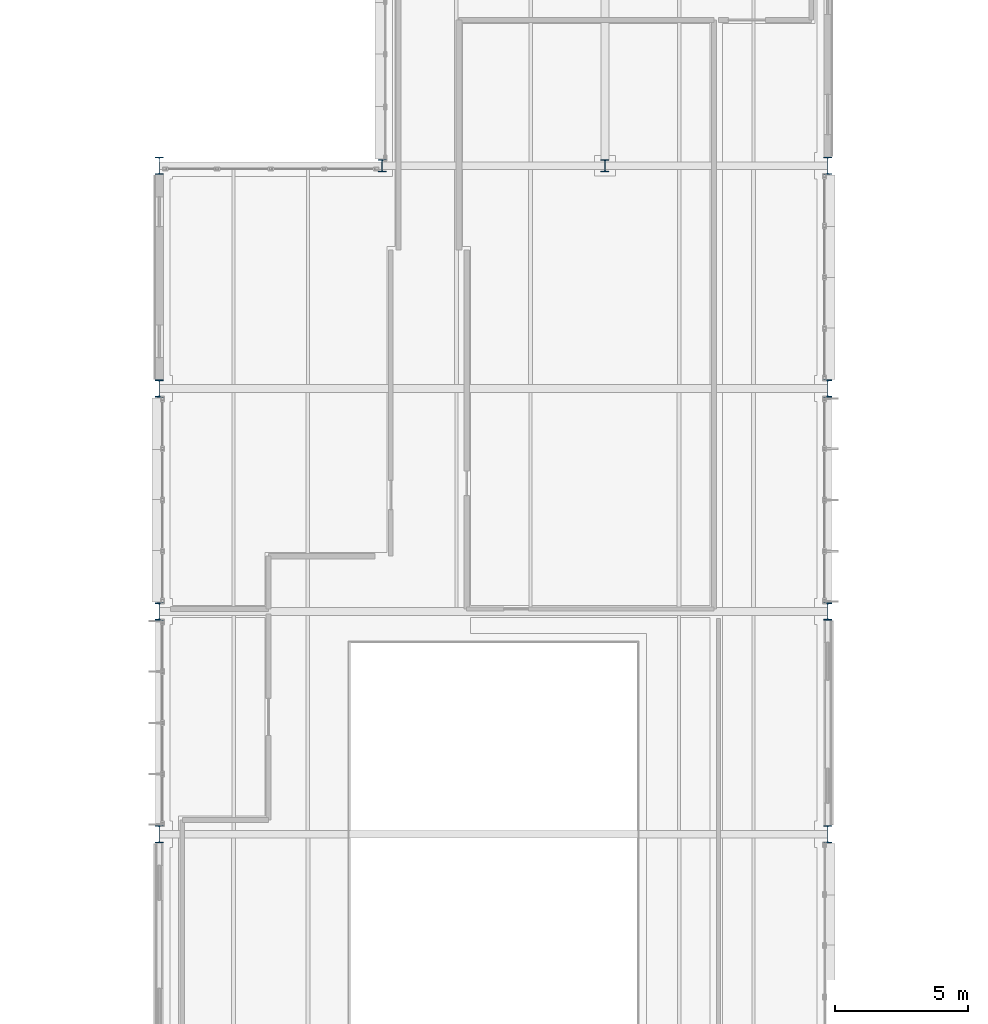
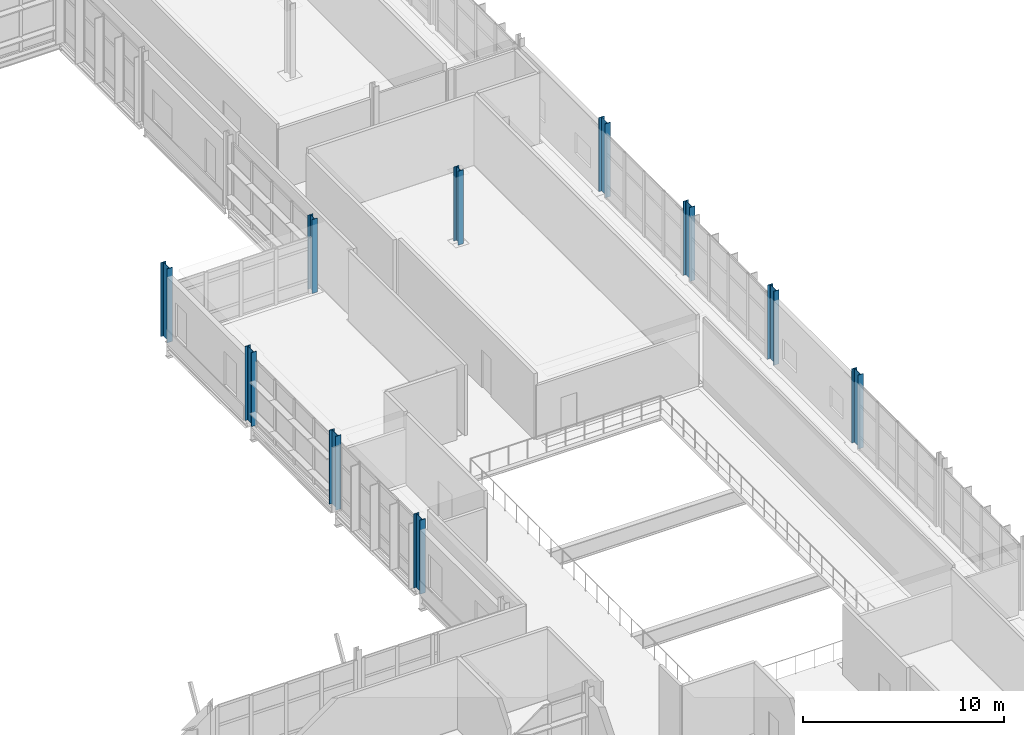
# One storey, part 11 of 129: 10 columns.
"""IFC4 building model written with IfcOpenShell, lengths in metres."""

from ifc_helpers import new_model, si_unit, direction, frame, origin, origin_2d, place, context, subcontext, project, spatial, i_section, extrude, material, material_profile, profile_set, type_object, element, save


model = new_model("IFC4")

# Units and contexts
model_context = context("Model", 3, precision=1e-05, world=origin(), true_north=direction((0.0, 1.0)))
body_context = subcontext(model_context, "Body", "Model", "MODEL_VIEW")
ifc_project = project(units=[si_unit("LENGTHUNIT", "METRE"), si_unit("AREAUNIT", "SQUARE_METRE"), si_unit("VOLUMEUNIT", "CUBIC_METRE"), si_unit("PLANEANGLEUNIT", "RADIAN"), si_unit("MASSUNIT", "GRAM", prefix="KILO")], contexts=[model_context])

# Site, building, storey
site_placement = place(None, origin())
site = spatial("IfcSite", under=ifc_project, at=site_placement, CompositionType="ELEMENT")
building_placement = place(site_placement, origin())
building = spatial("IfcBuilding", under=site, at=building_placement, Name="Mersafa Astral City Hall", CompositionType="ELEMENT")
storey_placement = place(building_placement, frame((0.0, 0.0, 5.39990234375)))
storey = spatial("IfcBuildingStorey", under=building, at=storey_placement, Name="L01", CompositionType="ELEMENT", Elevation=5.39990234375)

# Columns
ifc_material = material(Name="Steel S355", Category="steel")
ifc_material_profile_1 = material_profile(ifc_material, i_section(OverallWidth=0.300048828125, OverallDepth=0.449951171875, WebThickness=0.013916015625, FlangeThickness=0.02587890625, FilletRadius=0.027099609375, at=origin_2d()), Name="HEB 450")
ifc_profile_set_1 = profile_set([ifc_material_profile_1], Name="Steel S355")
column_type_1 = type_object("IfcColumnType", Name="STR-COL-HEB450", PredefinedType="COLUMN", material=ifc_profile_set_1)
for number, where, z_axis, x_axis, name in (
    (1, (100.800048828125, 92.39990234375, 0.0), (0.0, 0.0, 1.0), (1.0, 0.0, 0.0), "L01 Structural column G-12-11"),
    (2, (109.199951171875, 92.39990234375, 0.0), (0.0, 0.0, 1.0), (1.0, 0.0, 0.0), "L01 Structural column G-13-11"),
):
    element("IfcColumn", number, at=place(storey_placement, frame(where, z_axis=z_axis, x_axis=x_axis)), inside=storey, type_object=column_type_1, Name=name, PredefinedType="COLUMN", context=body_context, shape_type="SweptSolid", body=[
        extrude(i_section(OverallWidth=0.300048828125, OverallDepth=0.449951171875, WebThickness=0.013916015625, FlangeThickness=0.02587890625, FilletRadius=0.027099609375, at=origin_2d()), origin(), (0.0, 0.0, 1.0), 4.5),
    ])
ifc_material_profile_2 = material_profile(ifc_material, i_section(OverallWidth=0.300048828125, OverallDepth=0.64990234375, WebThickness=0.01611328125, FlangeThickness=0.031005859375, FilletRadius=0.027099609375, at=origin_2d()), Name="HEB 650")
ifc_profile_set_2 = profile_set([ifc_material_profile_2], Name="Steel S355")
column_type_2 = type_object("IfcColumnType", Name="STR-COL-HEB650", PredefinedType="COLUMN", material=ifc_profile_set_2)
for number, where, z_axis, x_axis, name in (
    (3, (92.39990234375, 67.199951171875, 0.0), (0.0, 0.0, 1.0), (1.0, 0.0, 0.0), "L01 Structural column G-11-08"),
    (4, (92.39990234375, 75.60009765625, 0.0), (0.0, 0.0, 1.0), (1.0, 0.0, 0.0), "L01 Structural column G-11-09"),
    (5, (92.39990234375, 84.0, 0.0), (0.0, 0.0, 1.0), (1.0, 0.0, 0.0), "L01 Structural column G-11-10"),
    (6, (92.39990234375, 92.39990234375, 0.0), (0.0, 0.0, 1.0), (1.0, 0.0, 0.0), "L01 Structural column G-11-11"),
    (7, (117.60009765625, 67.199951171875, 0.0), (0.0, 0.0, 1.0), (1.0, 0.0, 0.0), "L01 Structural column G-14-08"),
    (8, (117.60009765625, 75.60009765625, 0.0), (0.0, 0.0, 1.0), (1.0, 0.0, 0.0), "L01 Structural column G-14-09"),
    (9, (117.60009765625, 84.0, 0.0), (0.0, 0.0, 1.0), (1.0, 0.0, 0.0), "L01 Structural column G-14-10"),
    (10, (117.60009765625, 92.39990234375, 0.0), (0.0, 0.0, 1.0), (1.0, 0.0, 0.0), "L01 Structural column G-14-11"),
):
    element("IfcColumn", number, at=place(storey_placement, frame(where, z_axis=z_axis, x_axis=x_axis)), inside=storey, type_object=column_type_2, Name=name, PredefinedType="COLUMN", context=body_context, shape_type="SweptSolid", body=[
        extrude(i_section(OverallWidth=0.300048828125, OverallDepth=0.64990234375, WebThickness=0.01611328125, FlangeThickness=0.031005859375, FilletRadius=0.027099609375, at=origin_2d()), origin(), (0.0, 0.0, 1.0), 4.5),
    ])

save(model, "model.ifc")
